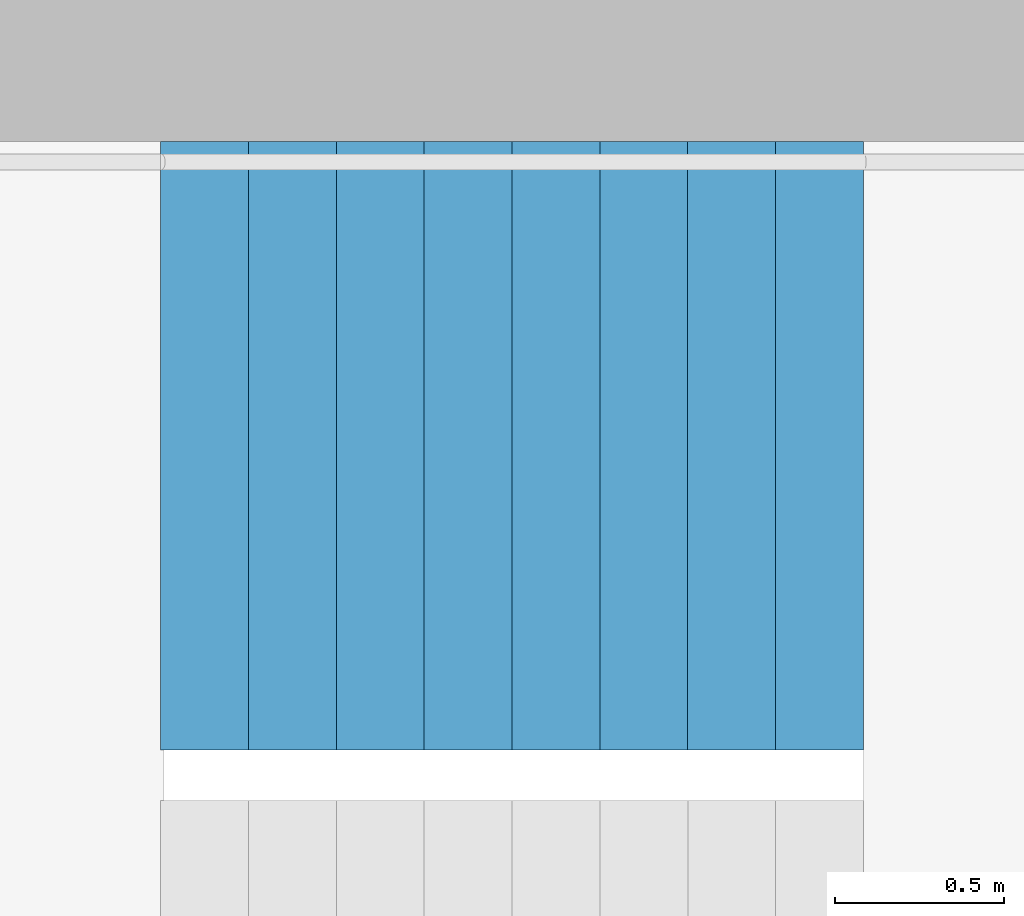
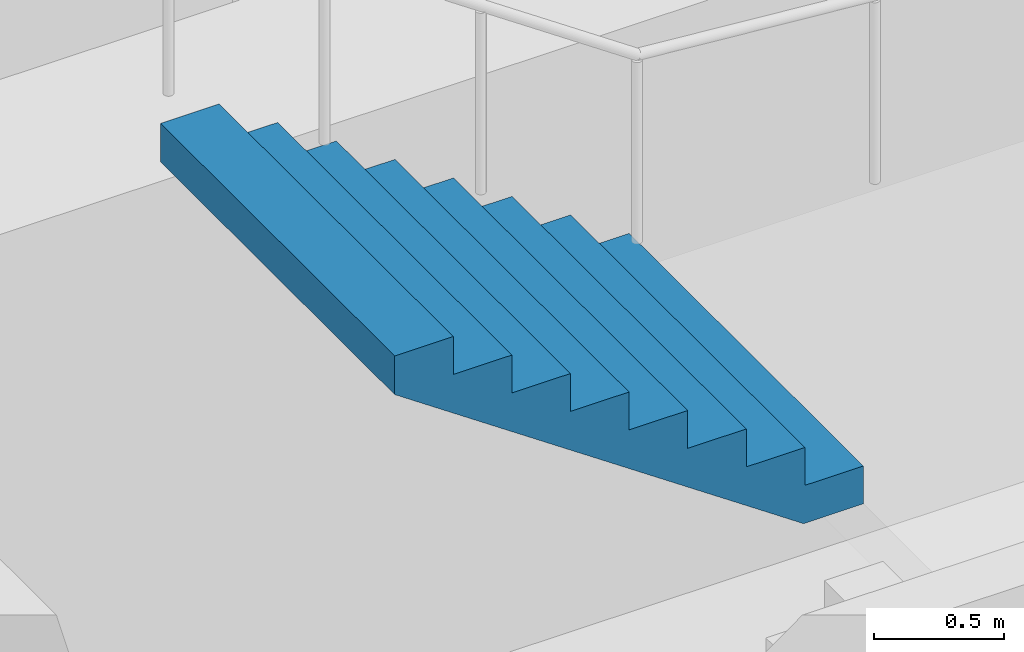
# One storey, part 22 of 32: 1 stair flight, 1 element without a shape of its own.
"""IFC4 building model written with IfcOpenShell, lengths in metres."""

from ifc_helpers import new_model, si_unit, direction, frame, origin, place, context, subcontext, project, spatial, triangles, material, type_object, element, aggregate, save


model = new_model("IFC4")

# Units and contexts
model_context = context("Model", 3, precision=1e-05, world=origin(), true_north=direction((0.0, 1.0)))
body_context = subcontext(model_context, "Body", "Model", "MODEL_VIEW")
ifc_project = project(units=[si_unit("LENGTHUNIT", "METRE"), si_unit("AREAUNIT", "SQUARE_METRE"), si_unit("VOLUMEUNIT", "CUBIC_METRE"), si_unit("PLANEANGLEUNIT", "RADIAN"), si_unit("MASSUNIT", "GRAM", prefix="KILO")], contexts=[model_context])

# Site, building, storey
site_placement = place(None, origin())
site = spatial("IfcSite", under=ifc_project, at=site_placement, CompositionType="ELEMENT")
building_placement = place(site_placement, origin())
building = spatial("IfcBuilding", under=site, at=building_placement, Name="Hakoniwa Tower and Hamabe Station Hall", CompositionType="ELEMENT")
storey_placement = place(building_placement, frame((0.0, 0.0, 150.199951171875)))
storey = spatial("IfcBuildingStorey", under=building, at=storey_placement, Name="L42", CompositionType="ELEMENT", Elevation=150.199951171875)

# Stair, stair flight
ifc_material_1 = material(Name="Concrete C40", Category="concrete")
stair_type = type_object("IfcStairType", Name="ESCAPE STAIR 1800", PredefinedType="HALF_TURN_STAIR", material=ifc_material_1)
stair_placement = place(storey_placement, origin())
stair = element("IfcStair", 1, at=stair_placement, inside=storey, type_object=stair_type, Name="Escape stair ST-1 L42", PredefinedType="HALF_TURN_STAIR")
ifc_material_2 = material(Name="Concrete C40", Category="concrete")
stair_flight_type = type_object("IfcStairFlightType", Name="STAIR FLIGHT 1800", PredefinedType="STRAIGHT", material=ifc_material_2)
stair_flight_placement = place(storey_placement, frame((-22.320068359375, 6.60009765625, 1.60009765625), z_axis=(0.0, 0.0, 1.0), x_axis=(-1.0, 0.0, 0.0)))
stair_flight = element("IfcStairFlight", 2, at=stair_flight_placement, type_object=stair_flight_type, Name="ST-1 flight 2", NumberOfRisers=9, NumberOfTreads=8, PredefinedType="STRAIGHT", RiserHeight=0.177777778, TreadLength=0.26, context=body_context, shape_type="Tessellation", body=[
    triangles([(0.0, 0.89990234375, 0.0), (0.260009765625, 0.89990234375, 0.0), (0.265625, 0.89990234375, 0.0), (0.52001953125, 0.89990234375, 0.174072265625), (0.780029296875, 0.89990234375, 0.351806640625), (1.0400390625, 0.89990234375, 0.529541015625), (1.300048828125, 0.89990234375, 0.707275390625), (1.56005859375, 0.89990234375, 0.885009765625), (1.820068359375, 0.89990234375, 1.062744140625), (2.080078125, 0.89990234375, 1.24072265625), (2.080078125, 0.89990234375, 1.422119140625), (1.820068359375, 0.89990234375, 1.422119140625), (1.820068359375, 0.89990234375, 1.244384765625), (1.56005859375, 0.89990234375, 1.244384765625), (1.56005859375, 0.89990234375, 1.066650390625), (1.300048828125, 0.89990234375, 1.066650390625), (1.300048828125, 0.89990234375, 0.888916015625), (1.0400390625, 0.89990234375, 0.888916015625), (1.0400390625, 0.89990234375, 0.711181640625), (0.780029296875, 0.89990234375, 0.711181640625), (0.780029296875, 0.89990234375, 0.533447265625), (0.52001953125, 0.89990234375, 0.533447265625), (0.52001953125, 0.89990234375, 0.35546875), (0.265625, 0.89990234375, 0.35546875), (0.260009765625, 0.89990234375, 0.35546875), (0.260009765625, 0.89990234375, 0.177734375), (0.0, 0.89990234375, 0.177734375), (0.0, 0.06005859375, 0.0), (0.260009765625, 0.06005859375, 0.0), (0.265625, 0.06005859375, 0.0), (0.52001953125, 0.06005859375, 0.174072265625), (0.780029296875, 0.06005859375, 0.351806640625), (1.0400390625, 0.06005859375, 0.529541015625), (1.300048828125, 0.06005859375, 0.707275390625), (1.56005859375, 0.06005859375, 0.885009765625), (1.820068359375, 0.06005859375, 1.062744140625), (2.080078125, 0.06005859375, 1.24072265625), (2.080078125, 0.06005859375, 1.422119140625), (1.820068359375, 0.06005859375, 1.422119140625), (1.820068359375, 0.06005859375, 1.244384765625), (1.56005859375, 0.06005859375, 1.244384765625), (1.56005859375, 0.06005859375, 1.066650390625), (1.300048828125, 0.06005859375, 1.066650390625), (1.300048828125, 0.06005859375, 0.888916015625), (1.0400390625, 0.06005859375, 0.888916015625), (1.0400390625, 0.06005859375, 0.711181640625), (0.780029296875, 0.06005859375, 0.711181640625), (0.780029296875, 0.06005859375, 0.533447265625), (0.52001953125, 0.06005859375, 0.533447265625), (0.52001953125, 0.06005859375, 0.35546875), (0.265625, 0.06005859375, 0.35546875), (0.260009765625, 0.06005859375, 0.35546875), (0.260009765625, 0.06005859375, 0.177734375), (0.0, 0.06005859375, 0.177734375), (0.0, 0.04296875, 0.0), (0.260009765625, 0.04296875, 0.0), (0.265625, 0.04296875, 0.0), (0.52001953125, 0.04296875, 0.174072265625), (0.780029296875, 0.04296875, 0.351806640625), (1.0400390625, 0.04296875, 0.529541015625), (1.300048828125, 0.04296875, 0.707275390625), (1.56005859375, 0.04296875, 0.885009765625), (1.820068359375, 0.04296875, 1.062744140625), (2.080078125, 0.04296875, 1.24072265625), (2.080078125, 0.04296875, 1.422119140625), (1.820068359375, 0.04296875, 1.422119140625), (1.820068359375, 0.04296875, 1.244384765625), (1.56005859375, 0.04296875, 1.244384765625), (1.56005859375, 0.04296875, 1.066650390625), (1.300048828125, 0.04296875, 1.066650390625), (1.300048828125, 0.04296875, 0.888916015625), (1.0400390625, 0.04296875, 0.888916015625), (1.0400390625, 0.04296875, 0.711181640625), (0.780029296875, 0.04296875, 0.711181640625), (0.780029296875, 0.04296875, 0.533447265625), (0.52001953125, 0.04296875, 0.533447265625), (0.52001953125, 0.04296875, 0.35546875), (0.265625, 0.04296875, 0.35546875), (0.260009765625, 0.04296875, 0.35546875), (0.260009765625, 0.04296875, 0.177734375), (0.0, 0.04296875, 0.177734375), (0.0, 0.025634765625, 0.0), (0.260009765625, 0.025634765625, 0.0), (0.265625, 0.025634765625, 0.0), (0.52001953125, 0.025634765625, 0.174072265625), (0.780029296875, 0.025634765625, 0.351806640625), (1.0400390625, 0.025634765625, 0.529541015625), (1.300048828125, 0.025634765625, 0.707275390625), (1.56005859375, 0.025634765625, 0.885009765625), (1.820068359375, 0.025634765625, 1.062744140625), (2.080078125, 0.025634765625, 1.24072265625), (2.080078125, 0.025634765625, 1.422119140625), (1.820068359375, 0.025634765625, 1.422119140625), (1.820068359375, 0.025634765625, 1.244384765625), (1.56005859375, 0.025634765625, 1.244384765625), (1.56005859375, 0.025634765625, 1.066650390625), (1.300048828125, 0.025634765625, 1.066650390625), (1.300048828125, 0.025634765625, 0.888916015625), (1.0400390625, 0.025634765625, 0.888916015625), (1.0400390625, 0.025634765625, 0.711181640625), (0.780029296875, 0.025634765625, 0.711181640625), (0.780029296875, 0.025634765625, 0.533447265625), (0.52001953125, 0.025634765625, 0.533447265625), (0.52001953125, 0.025634765625, 0.35546875), (0.265625, 0.025634765625, 0.35546875), (0.260009765625, 0.025634765625, 0.35546875), (0.260009765625, 0.025634765625, 0.177734375), (0.0, 0.025634765625, 0.177734375), (0.0, 0.008544921875, 0.0), (0.260009765625, 0.008544921875, 0.0), (0.265625, 0.008544921875, 0.0), (0.52001953125, 0.008544921875, 0.174072265625), (0.780029296875, 0.008544921875, 0.351806640625), (1.0400390625, 0.008544921875, 0.529541015625), (1.300048828125, 0.008544921875, 0.707275390625), (1.56005859375, 0.008544921875, 0.885009765625), (1.820068359375, 0.008544921875, 1.062744140625), (2.080078125, 0.008544921875, 1.24072265625), (2.080078125, 0.008544921875, 1.422119140625), (1.820068359375, 0.008544921875, 1.422119140625), (1.820068359375, 0.008544921875, 1.244384765625), (1.56005859375, 0.008544921875, 1.244384765625), (1.56005859375, 0.008544921875, 1.066650390625), (1.300048828125, 0.008544921875, 1.066650390625), (1.300048828125, 0.008544921875, 0.888916015625), (1.0400390625, 0.008544921875, 0.888916015625), (1.0400390625, 0.008544921875, 0.711181640625), (0.780029296875, 0.008544921875, 0.711181640625), (0.780029296875, 0.008544921875, 0.533447265625), (0.52001953125, 0.008544921875, 0.533447265625), (0.52001953125, 0.008544921875, 0.35546875), (0.265625, 0.008544921875, 0.35546875), (0.260009765625, 0.008544921875, 0.35546875), (0.260009765625, 0.008544921875, 0.177734375), (0.0, 0.008544921875, 0.177734375), (0.0, -0.008544921875, 0.0), (0.260009765625, -0.008544921875, 0.0), (0.265625, -0.008544921875, 0.0), (0.52001953125, -0.008544921875, 0.174072265625), (0.780029296875, -0.008544921875, 0.351806640625), (1.0400390625, -0.008544921875, 0.529541015625), (1.300048828125, -0.008544921875, 0.707275390625), (1.56005859375, -0.008544921875, 0.885009765625), (1.820068359375, -0.008544921875, 1.062744140625), (2.080078125, -0.008544921875, 1.24072265625), (2.080078125, -0.008544921875, 1.422119140625), (1.820068359375, -0.008544921875, 1.422119140625), (1.820068359375, -0.008544921875, 1.244384765625), (1.56005859375, -0.008544921875, 1.244384765625), (1.56005859375, -0.008544921875, 1.066650390625), (1.300048828125, -0.008544921875, 1.066650390625), (1.300048828125, -0.008544921875, 0.888916015625), (1.0400390625, -0.008544921875, 0.888916015625), (1.0400390625, -0.008544921875, 0.711181640625), (0.780029296875, -0.008544921875, 0.711181640625), (0.780029296875, -0.008544921875, 0.533447265625), (0.52001953125, -0.008544921875, 0.533447265625), (0.52001953125, -0.008544921875, 0.35546875), (0.265625, -0.008544921875, 0.35546875), (0.260009765625, -0.008544921875, 0.35546875), (0.260009765625, -0.008544921875, 0.177734375), (0.0, -0.008544921875, 0.177734375), (0.0, -0.025634765625, 0.0), (0.260009765625, -0.025634765625, 0.0), (0.265625, -0.025634765625, 0.0), (0.52001953125, -0.025634765625, 0.174072265625), (0.780029296875, -0.025634765625, 0.351806640625), (1.0400390625, -0.025634765625, 0.529541015625), (1.300048828125, -0.025634765625, 0.707275390625), (1.56005859375, -0.025634765625, 0.885009765625), (1.820068359375, -0.025634765625, 1.062744140625), (2.080078125, -0.025634765625, 1.24072265625), (2.080078125, -0.025634765625, 1.422119140625), (1.820068359375, -0.025634765625, 1.422119140625), (1.820068359375, -0.025634765625, 1.244384765625), (1.56005859375, -0.025634765625, 1.244384765625), (1.56005859375, -0.025634765625, 1.066650390625), (1.300048828125, -0.025634765625, 1.066650390625), (1.300048828125, -0.025634765625, 0.888916015625), (1.0400390625, -0.025634765625, 0.888916015625), (1.0400390625, -0.025634765625, 0.711181640625), (0.780029296875, -0.025634765625, 0.711181640625), (0.780029296875, -0.025634765625, 0.533447265625), (0.52001953125, -0.025634765625, 0.533447265625), (0.52001953125, -0.025634765625, 0.35546875), (0.265625, -0.025634765625, 0.35546875), (0.260009765625, -0.025634765625, 0.35546875), (0.260009765625, -0.025634765625, 0.177734375), (0.0, -0.025634765625, 0.177734375), (0.0, -0.04296875, 0.0), (0.260009765625, -0.04296875, 0.0), (0.265625, -0.04296875, 0.0), (0.52001953125, -0.04296875, 0.174072265625), (0.780029296875, -0.04296875, 0.351806640625), (1.0400390625, -0.04296875, 0.529541015625), (1.300048828125, -0.04296875, 0.707275390625), (1.56005859375, -0.04296875, 0.885009765625), (1.820068359375, -0.04296875, 1.062744140625), (2.080078125, -0.04296875, 1.24072265625), (2.080078125, -0.04296875, 1.422119140625), (1.820068359375, -0.04296875, 1.422119140625), (1.820068359375, -0.04296875, 1.244384765625), (1.56005859375, -0.04296875, 1.244384765625), (1.56005859375, -0.04296875, 1.066650390625), (1.300048828125, -0.04296875, 1.066650390625), (1.300048828125, -0.04296875, 0.888916015625), (1.0400390625, -0.04296875, 0.888916015625), (1.0400390625, -0.04296875, 0.711181640625), (0.780029296875, -0.04296875, 0.711181640625), (0.780029296875, -0.04296875, 0.533447265625), (0.52001953125, -0.04296875, 0.533447265625), (0.52001953125, -0.04296875, 0.35546875), (0.265625, -0.04296875, 0.35546875), (0.260009765625, -0.04296875, 0.35546875), (0.260009765625, -0.04296875, 0.177734375), (0.0, -0.04296875, 0.177734375), (0.0, -0.06005859375, 0.0), (0.260009765625, -0.06005859375, 0.0), (0.265625, -0.06005859375, 0.0), (0.52001953125, -0.06005859375, 0.174072265625), (0.780029296875, -0.06005859375, 0.351806640625), (1.0400390625, -0.06005859375, 0.529541015625), (1.300048828125, -0.06005859375, 0.707275390625), (1.56005859375, -0.06005859375, 0.885009765625), (1.820068359375, -0.06005859375, 1.062744140625), (2.080078125, -0.06005859375, 1.24072265625), (2.080078125, -0.06005859375, 1.422119140625), (1.820068359375, -0.06005859375, 1.422119140625), (1.820068359375, -0.06005859375, 1.244384765625), (1.56005859375, -0.06005859375, 1.244384765625), (1.56005859375, -0.06005859375, 1.066650390625), (1.300048828125, -0.06005859375, 1.066650390625), (1.300048828125, -0.06005859375, 0.888916015625), (1.0400390625, -0.06005859375, 0.888916015625), (1.0400390625, -0.06005859375, 0.711181640625), (0.780029296875, -0.06005859375, 0.711181640625), (0.780029296875, -0.06005859375, 0.533447265625), (0.52001953125, -0.06005859375, 0.533447265625), (0.52001953125, -0.06005859375, 0.35546875), (0.265625, -0.06005859375, 0.35546875), (0.260009765625, -0.06005859375, 0.35546875), (0.260009765625, -0.06005859375, 0.177734375), (0.0, -0.06005859375, 0.177734375), (0.0, -0.89990234375, 0.0), (0.260009765625, -0.89990234375, 0.0), (0.265625, -0.89990234375, 0.0), (0.52001953125, -0.89990234375, 0.174072265625), (0.780029296875, -0.89990234375, 0.351806640625), (1.0400390625, -0.89990234375, 0.529541015625), (1.300048828125, -0.89990234375, 0.707275390625), (1.56005859375, -0.89990234375, 0.885009765625), (1.820068359375, -0.89990234375, 1.062744140625), (2.080078125, -0.89990234375, 1.24072265625), (2.080078125, -0.89990234375, 1.422119140625), (1.820068359375, -0.89990234375, 1.422119140625), (1.820068359375, -0.89990234375, 1.244384765625), (1.56005859375, -0.89990234375, 1.244384765625), (1.56005859375, -0.89990234375, 1.066650390625), (1.300048828125, -0.89990234375, 1.066650390625), (1.300048828125, -0.89990234375, 0.888916015625), (1.0400390625, -0.89990234375, 0.888916015625), (1.0400390625, -0.89990234375, 0.711181640625), (0.780029296875, -0.89990234375, 0.711181640625), (0.780029296875, -0.89990234375, 0.533447265625), (0.52001953125, -0.89990234375, 0.533447265625), (0.52001953125, -0.89990234375, 0.35546875), (0.265625, -0.89990234375, 0.35546875), (0.260009765625, -0.89990234375, 0.35546875), (0.260009765625, -0.89990234375, 0.177734375), (0.0, -0.89990234375, 0.177734375)], [[2, 27, 26], [245, 269, 270], [2, 1, 27], [245, 270, 244], [3, 25, 24], [246, 267, 268], [3, 26, 25], [246, 268, 269], [3, 2, 26], [246, 269, 245], [4, 24, 23], [247, 266, 267], [4, 3, 24], [247, 267, 246], [5, 22, 21], [248, 264, 265], [5, 23, 22], [248, 265, 266], [5, 4, 23], [248, 266, 247], [6, 20, 19], [249, 262, 263], [6, 21, 20], [249, 263, 264], [6, 5, 21], [249, 264, 248], [7, 18, 17], [250, 260, 261], [7, 19, 18], [250, 261, 262], [7, 6, 19], [250, 262, 249], [8, 16, 15], [251, 258, 259], [8, 17, 16], [251, 259, 260], [8, 7, 17], [251, 260, 250], [9, 14, 13], [252, 256, 257], [9, 15, 14], [252, 257, 258], [9, 8, 15], [252, 258, 251], [10, 12, 11], [253, 254, 255], [10, 13, 12], [253, 255, 256], [10, 9, 13], [253, 256, 252], [1, 2, 29], [1, 29, 28], [28, 29, 56], [28, 56, 55], [55, 56, 83], [55, 83, 82], [82, 83, 110], [82, 110, 109], [109, 110, 137], [109, 137, 136], [136, 137, 164], [136, 164, 163], [163, 164, 191], [163, 191, 190], [190, 191, 218], [190, 218, 217], [217, 218, 245], [217, 245, 244], [2, 3, 30], [2, 30, 29], [29, 30, 57], [29, 57, 56], [56, 57, 84], [56, 84, 83], [83, 84, 111], [83, 111, 110], [110, 111, 138], [110, 138, 137], [137, 138, 165], [137, 165, 164], [164, 165, 192], [164, 192, 191], [191, 192, 219], [191, 219, 218], [218, 219, 246], [218, 246, 245], [3, 4, 31], [3, 31, 30], [30, 31, 58], [30, 58, 57], [57, 58, 85], [57, 85, 84], [84, 85, 112], [84, 112, 111], [111, 112, 139], [111, 139, 138], [138, 139, 166], [138, 166, 165], [165, 166, 193], [165, 193, 192], [192, 193, 220], [192, 220, 219], [219, 220, 247], [219, 247, 246], [4, 5, 32], [4, 32, 31], [31, 32, 59], [31, 59, 58], [58, 59, 86], [58, 86, 85], [85, 86, 113], [85, 113, 112], [112, 113, 140], [112, 140, 139], [139, 140, 167], [139, 167, 166], [166, 167, 194], [166, 194, 193], [193, 194, 221], [193, 221, 220], [220, 221, 248], [220, 248, 247], [5, 6, 33], [5, 33, 32], [32, 33, 60], [32, 60, 59], [59, 60, 87], [59, 87, 86], [86, 87, 114], [86, 114, 113], [113, 114, 141], [113, 141, 140], [140, 141, 168], [140, 168, 167], [167, 168, 195], [167, 195, 194], [194, 195, 222], [194, 222, 221], [221, 222, 249], [221, 249, 248], [6, 7, 34], [6, 34, 33], [33, 34, 61], [33, 61, 60], [60, 61, 88], [60, 88, 87], [87, 88, 115], [87, 115, 114], [114, 115, 142], [114, 142, 141], [141, 142, 169], [141, 169, 168], [168, 169, 196], [168, 196, 195], [195, 196, 223], [195, 223, 222], [222, 223, 250], [222, 250, 249], [7, 8, 35], [7, 35, 34], [34, 35, 62], [34, 62, 61], [61, 62, 89], [61, 89, 88], [88, 89, 116], [88, 116, 115], [115, 116, 143], [115, 143, 142], [142, 143, 170], [142, 170, 169], [169, 170, 197], [169, 197, 196], [196, 197, 224], [196, 224, 223], [223, 224, 251], [223, 251, 250], [8, 9, 36], [8, 36, 35], [35, 36, 63], [35, 63, 62], [62, 63, 90], [62, 90, 89], [89, 90, 117], [89, 117, 116], [116, 117, 144], [116, 144, 143], [143, 144, 171], [143, 171, 170], [170, 171, 198], [170, 198, 197], [197, 198, 225], [197, 225, 224], [224, 225, 252], [224, 252, 251], [9, 10, 37], [9, 37, 36], [36, 37, 64], [36, 64, 63], [63, 64, 91], [63, 91, 90], [90, 91, 118], [90, 118, 117], [117, 118, 145], [117, 145, 144], [144, 145, 172], [144, 172, 171], [171, 172, 199], [171, 199, 198], [198, 199, 226], [198, 226, 225], [225, 226, 253], [225, 253, 252], [10, 11, 38], [10, 38, 37], [37, 38, 65], [37, 65, 64], [64, 65, 92], [64, 92, 91], [91, 92, 119], [91, 119, 118], [118, 119, 146], [118, 146, 145], [145, 146, 173], [145, 173, 172], [172, 173, 200], [172, 200, 199], [199, 200, 227], [199, 227, 226], [226, 227, 254], [226, 254, 253], [11, 12, 39], [11, 39, 38], [38, 39, 66], [38, 66, 65], [65, 66, 93], [65, 93, 92], [92, 93, 120], [92, 120, 119], [119, 120, 147], [119, 147, 146], [146, 147, 174], [146, 174, 173], [173, 174, 201], [173, 201, 200], [200, 201, 228], [200, 228, 227], [227, 228, 255], [227, 255, 254], [12, 13, 40], [12, 40, 39], [39, 40, 67], [39, 67, 66], [66, 67, 94], [66, 94, 93], [93, 94, 121], [93, 121, 120], [120, 121, 148], [120, 148, 147], [147, 148, 175], [147, 175, 174], [174, 175, 202], [174, 202, 201], [201, 202, 229], [201, 229, 228], [228, 229, 256], [228, 256, 255], [13, 14, 41], [13, 41, 40], [40, 41, 68], [40, 68, 67], [67, 68, 95], [67, 95, 94], [94, 95, 122], [94, 122, 121], [121, 122, 149], [121, 149, 148], [148, 149, 176], [148, 176, 175], [175, 176, 203], [175, 203, 202], [202, 203, 230], [202, 230, 229], [229, 230, 257], [229, 257, 256], [14, 15, 42], [14, 42, 41], [41, 42, 69], [41, 69, 68], [68, 69, 96], [68, 96, 95], [95, 96, 123], [95, 123, 122], [122, 123, 150], [122, 150, 149], [149, 150, 177], [149, 177, 176], [176, 177, 204], [176, 204, 203], [203, 204, 231], [203, 231, 230], [230, 231, 258], [230, 258, 257], [15, 16, 43], [15, 43, 42], [42, 43, 70], [42, 70, 69], [69, 70, 97], [69, 97, 96], [96, 97, 124], [96, 124, 123], [123, 124, 151], [123, 151, 150], [150, 151, 178], [150, 178, 177], [177, 178, 205], [177, 205, 204], [204, 205, 232], [204, 232, 231], [231, 232, 259], [231, 259, 258], [16, 17, 44], [16, 44, 43], [43, 44, 71], [43, 71, 70], [70, 71, 98], [70, 98, 97], [97, 98, 125], [97, 125, 124], [124, 125, 152], [124, 152, 151], [151, 152, 179], [151, 179, 178], [178, 179, 206], [178, 206, 205], [205, 206, 233], [205, 233, 232], [232, 233, 260], [232, 260, 259], [17, 18, 45], [17, 45, 44], [44, 45, 72], [44, 72, 71], [71, 72, 99], [71, 99, 98], [98, 99, 126], [98, 126, 125], [125, 126, 153], [125, 153, 152], [152, 153, 180], [152, 180, 179], [179, 180, 207], [179, 207, 206], [206, 207, 234], [206, 234, 233], [233, 234, 261], [233, 261, 260], [18, 19, 46], [18, 46, 45], [45, 46, 73], [45, 73, 72], [72, 73, 100], [72, 100, 99], [99, 100, 127], [99, 127, 126], [126, 127, 154], [126, 154, 153], [153, 154, 181], [153, 181, 180], [180, 181, 208], [180, 208, 207], [207, 208, 235], [207, 235, 234], [234, 235, 262], [234, 262, 261], [19, 20, 47], [19, 47, 46], [46, 47, 74], [46, 74, 73], [73, 74, 101], [73, 101, 100], [100, 101, 128], [100, 128, 127], [127, 128, 155], [127, 155, 154], [154, 155, 182], [154, 182, 181], [181, 182, 209], [181, 209, 208], [208, 209, 236], [208, 236, 235], [235, 236, 263], [235, 263, 262], [20, 21, 48], [20, 48, 47], [47, 48, 75], [47, 75, 74], [74, 75, 102], [74, 102, 101], [101, 102, 129], [101, 129, 128], [128, 129, 156], [128, 156, 155], [155, 156, 183], [155, 183, 182], [182, 183, 210], [182, 210, 209], [209, 210, 237], [209, 237, 236], [236, 237, 264], [236, 264, 263], [21, 22, 49], [21, 49, 48], [48, 49, 76], [48, 76, 75], [75, 76, 103], [75, 103, 102], [102, 103, 130], [102, 130, 129], [129, 130, 157], [129, 157, 156], [156, 157, 184], [156, 184, 183], [183, 184, 211], [183, 211, 210], [210, 211, 238], [210, 238, 237], [237, 238, 265], [237, 265, 264], [22, 23, 50], [22, 50, 49], [49, 50, 77], [49, 77, 76], [76, 77, 104], [76, 104, 103], [103, 104, 131], [103, 131, 130], [130, 131, 158], [130, 158, 157], [157, 158, 185], [157, 185, 184], [184, 185, 212], [184, 212, 211], [211, 212, 239], [211, 239, 238], [238, 239, 266], [238, 266, 265], [23, 24, 51], [23, 51, 50], [50, 51, 78], [50, 78, 77], [77, 78, 105], [77, 105, 104], [104, 105, 132], [104, 132, 131], [131, 132, 159], [131, 159, 158], [158, 159, 186], [158, 186, 185], [185, 186, 213], [185, 213, 212], [212, 213, 240], [212, 240, 239], [239, 240, 267], [239, 267, 266], [24, 25, 52], [24, 52, 51], [51, 52, 79], [51, 79, 78], [78, 79, 106], [78, 106, 105], [105, 106, 133], [105, 133, 132], [132, 133, 160], [132, 160, 159], [159, 160, 187], [159, 187, 186], [186, 187, 214], [186, 214, 213], [213, 214, 241], [213, 241, 240], [240, 241, 268], [240, 268, 267], [25, 26, 53], [25, 53, 52], [52, 53, 80], [52, 80, 79], [79, 80, 107], [79, 107, 106], [106, 107, 134], [106, 134, 133], [133, 134, 161], [133, 161, 160], [160, 161, 188], [160, 188, 187], [187, 188, 215], [187, 215, 214], [214, 215, 242], [214, 242, 241], [241, 242, 269], [241, 269, 268], [26, 27, 54], [26, 54, 53], [53, 54, 81], [53, 81, 80], [80, 81, 108], [80, 108, 107], [107, 108, 135], [107, 135, 134], [134, 135, 162], [134, 162, 161], [161, 162, 189], [161, 189, 188], [188, 189, 216], [188, 216, 215], [215, 216, 243], [215, 243, 242], [242, 243, 270], [242, 270, 269], [27, 1, 28], [27, 28, 54], [54, 28, 55], [54, 55, 81], [81, 55, 82], [81, 82, 108], [108, 82, 109], [108, 109, 135], [135, 109, 136], [135, 136, 162], [162, 136, 163], [162, 163, 189], [189, 163, 190], [189, 190, 216], [216, 190, 217], [216, 217, 243], [243, 217, 244], [243, 244, 270]], closed=True),
])
aggregate(stair, [stair_flight])

save(model, "model.ifc")
